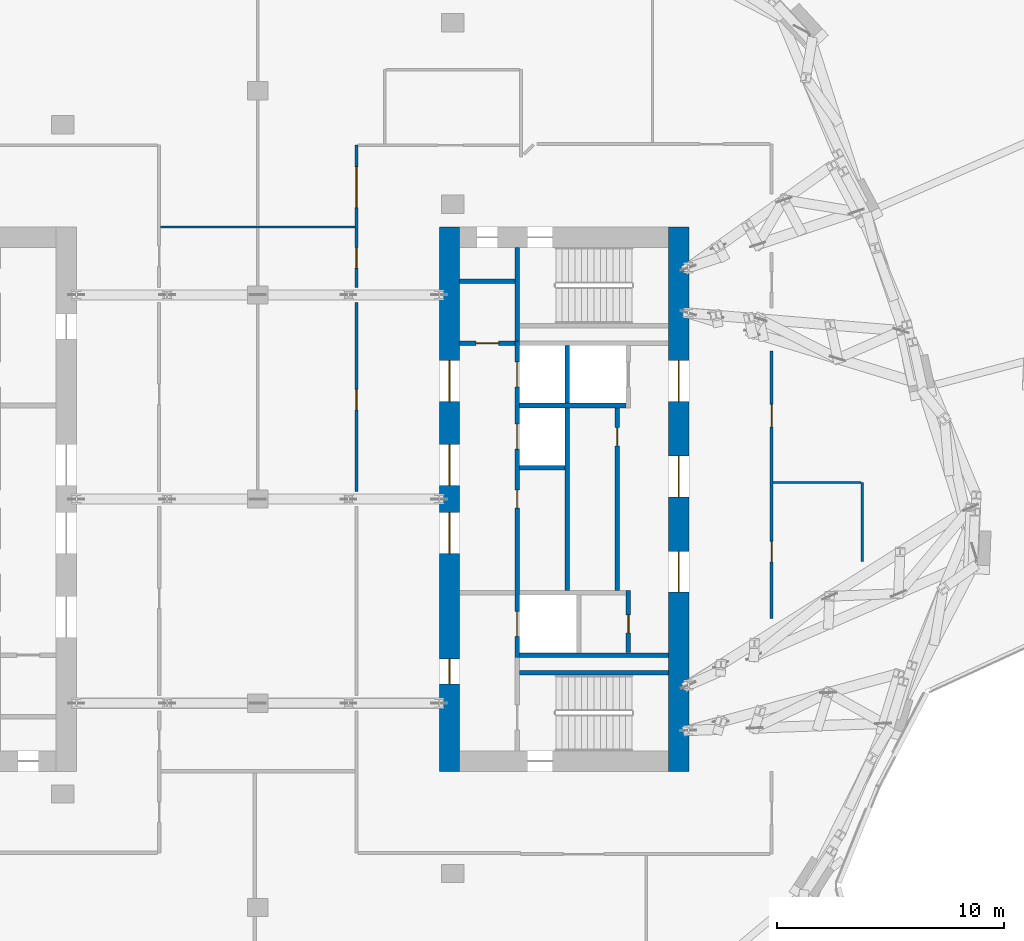
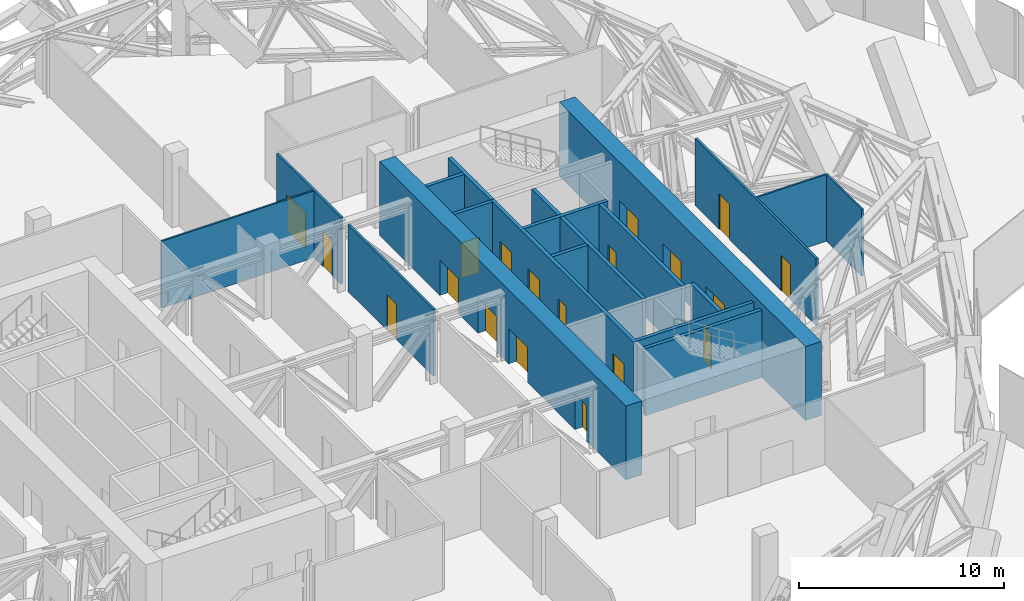
# One storey, part 24 of 31: 20 walls, 19 doors, 19 openings.
"""IFC4 building model written with IfcOpenShell, lengths in metres."""

import ifcopenshell
import ifcopenshell.guid

model = None  # the IFC model being written
_history = None  # IfcOwnerHistory: only IFC2X3 demands one
_inside = {}  # id of a spatial element -> (the spatial element, [elements in it])
_under = {}  # id of a project, library or spatial element -> (it, [spatial elements below it])
_declared = {}  # id of a project -> (the project, [libraries it declares])
_typed = {}  # id of a type object -> (the type object, [elements of that type])
_made_of = {}  # id of a material, layer set ... -> (it, [elements and type objects made of it])


def new_model(schema):
    """Start an empty IFC model of exactly this schema.

    Asked for "IFC4X3", IfcOpenShell would pick the latest addendum, in which some entities
    have other attributes; the version numbers below select the first issue.
    IFC2X3 requires an IfcOwnerHistory on every rooted entity: one is made here for all.
    """
    global model, _history
    if schema == "IFC4X3":
        model = ifcopenshell.file(schema_version=(4, 3, 0, 0))
    else:
        model = ifcopenshell.file(schema=schema)
    _inside.clear()
    _under.clear()
    _declared.clear()
    _typed.clear()
    _made_of.clear()
    _history = None
    if model.schema == "IFC2X3":
        org = make("IfcOrganization", Name="unknown")
        user = make(
            "IfcPersonAndOrganization",
            ThePerson=make("IfcPerson", FamilyName="unknown"),
            TheOrganization=org,
        )
        app = make(
            "IfcApplication",
            ApplicationDeveloper=org,
            Version="unknown",
            ApplicationFullName="unknown",
            ApplicationIdentifier="unknown",
        )
        _history = make(
            "IfcOwnerHistory",
            OwningUser=user,
            OwningApplication=app,
            ChangeAction="ADDED",
            CreationDate=0,
        )
    return model


def make(cls, **values):
    """One entity of the class cls with the attributes given. An attribute that is None is left unset."""
    return model.create_entity(
        cls, **{name: value for name, value in values.items() if value is not None}
    )


def rooted(cls, **values):
    """An entity with a GlobalId (a new one), such as an element, a storey or a relation."""
    return make(cls, GlobalId=ifcopenshell.guid.new(), OwnerHistory=_history, **values)


def si_unit(unit_type, name, prefix=None):
    """IfcSIUnit, for example si_unit("LENGTHUNIT", "METRE", prefix="MILLI")."""
    return make("IfcSIUnit", UnitType=unit_type, Prefix=prefix, Name=name)


def assignment(units):
    """IfcUnitAssignment: the units of a project."""
    return None if units is None else make("IfcUnitAssignment", Units=units)


def point(xyz):
    """IfcCartesianPoint."""
    return None if xyz is None else make("IfcCartesianPoint", Coordinates=xyz)


def direction(xyz):
    """IfcDirection."""
    return None if xyz is None else make("IfcDirection", DirectionRatios=xyz)


def frame(location, z_axis=None, x_axis=None):
    """IfcAxis2Placement3D, a coordinate frame: its origin and axes. An axis left out is left unset."""
    return make(
        "IfcAxis2Placement3D",
        Location=point(location),
        Axis=direction(z_axis),
        RefDirection=direction(x_axis),
    )


def frame_2d(location, x_axis=None):
    """IfcAxis2Placement2D, a coordinate frame in the plane: its origin and x axis."""
    return make(
        "IfcAxis2Placement2D", Location=point(location), RefDirection=direction(x_axis)
    )


def origin():
    """The frame at (0, 0, 0) with its axes left unset."""
    return frame((0.0, 0.0, 0.0))


def place(relative_to, where):
    """IfcLocalPlacement: puts the frame where relative to a parent placement (None: the world)."""
    return make(
        "IfcLocalPlacement", PlacementRelTo=relative_to, RelativePlacement=where
    )


def context(
    kind, dimensions, precision=None, world=None, true_north=None, identifier=None
):
    """IfcGeometricRepresentationContext, for example the 3D "Model" context."""
    return make(
        "IfcGeometricRepresentationContext",
        ContextIdentifier=identifier,
        ContextType=kind,
        CoordinateSpaceDimension=dimensions,
        Precision=precision,
        WorldCoordinateSystem=world,
        TrueNorth=true_north,
    )


def subcontext(parent, identifier, kind, view, scale=None):
    """IfcGeometricRepresentationSubContext, for example "Body" below "Model"."""
    return make(
        "IfcGeometricRepresentationSubContext",
        ContextIdentifier=identifier,
        ContextType=kind,
        ParentContext=parent,
        TargetScale=scale,
        TargetView=view,
    )


def project(units=None, contexts=None):
    """IfcProject with its units and contexts."""
    return rooted(
        "IfcProject",
        Name="project",
        RepresentationContexts=contexts,
        UnitsInContext=assignment(units),
    )


def spatial(cls, under=None, at=None, **own):
    """A site, building, storey or space (cls), placed at a placement, below another one or the project."""
    s = rooted(cls, ObjectPlacement=at, **own)
    if under is not None:
        _under.setdefault(under.id(), (under, []))[1].append(s)
    return s


def profile(cls, at=None, kind="AREA", **sizes):
    """A parametric profile (cls). Its sizes go by their IFC names, for example OverallWidth=200.0."""
    return make(cls, ProfileType=kind, Position=at, **sizes)


def rectangle(**sizes):
    """IfcRectangleProfileDef."""
    return profile("IfcRectangleProfileDef", **sizes)


def extrude(swept, where, along, depth):
    """IfcExtrudedAreaSolid: the profile swept, set in the frame where, extruded along a direction by depth."""
    return make(
        "IfcExtrudedAreaSolid",
        SweptArea=swept,
        Position=where,
        ExtrudedDirection=direction(along),
        Depth=depth,
    )


def shape(context_of_items, identifier, shape_type, items):
    """IfcShapeRepresentation: the items that make up one representation, for example the "Body"."""
    return make(
        "IfcShapeRepresentation",
        ContextOfItems=context_of_items,
        RepresentationIdentifier=identifier,
        RepresentationType=shape_type,
        Items=items,
    )


def material(Name=None, Category=None):
    """IfcMaterial."""
    return make("IfcMaterial", Name=Name, Category=Category)


def layer(
    of_material, thickness, ventilated=None, Name=None, Category=None, Priority=None
):
    """IfcMaterialLayer: one layer of a wall or slab, of a material (None: an air gap)."""
    return make(
        "IfcMaterialLayer",
        Material=of_material,
        LayerThickness=thickness,
        IsVentilated=ventilated,
        Name=Name,
        Category=Category,
        Priority=Priority,
    )


def layer_set(layers, Name=None):
    """IfcMaterialLayerSet."""
    return make("IfcMaterialLayerSet", MaterialLayers=layers, LayerSetName=Name)


def made_of(thing, what):
    """Note that an element or type object is made of a material, layer set ...; save() writes the relation."""
    if what is not None:
        _made_of.setdefault(what.id(), (what, []))[1].append(thing)
    return thing


def type_object(cls, material=None, **own):
    """A type object (cls), such as IfcWallType, which elements share."""
    return made_of(rooted(cls, **own), material)


def element(
    cls,
    number,
    at=None,
    inside=None,
    cuts=None,
    type_object=None,
    material=None,
    context=None,
    identifier="Body",
    shape_type=None,
    held_by="IfcProductDefinitionShape",
    body=None,
    shapes=None,
    **own,
):
    """One element of the class cls, such as IfcWall. Its Tag is "e" and its number.

    at: its placement. inside: the storey or other place that contains it. cuts: it is an
    opening in that element (IfcRelVoidsElement). A single representation is given by context,
    identifier, shape_type and body (its items); several are given by shapes. held_by: the class
    of the entity that holds the representations. save() writes the other relations.
    """
    e = rooted(cls, Tag="e%d" % number, ObjectPlacement=at, **own)
    if body is not None:
        shapes = [shape(context, identifier, shape_type, body)]
    if shapes is not None:
        e.Representation = make(held_by, Representations=shapes)
    if inside is not None:
        _inside.setdefault(inside.id(), (inside, []))[1].append(e)
    if cuts is not None:
        rooted(
            "IfcRelVoidsElement", RelatingBuildingElement=cuts, RelatedOpeningElement=e
        )
    if type_object is not None:
        _typed.setdefault(type_object.id(), (type_object, []))[1].append(e)
    return made_of(e, material)


def fill(opening, filler):
    """IfcRelFillsElement: the door or window that sits in an opening."""
    return rooted(
        "IfcRelFillsElement",
        RelatingOpeningElement=opening,
        RelatedBuildingElement=filler,
    )


def aggregate(whole, parts):
    """IfcRelAggregates: a whole, such as a stair, and the parts it consists of."""
    return rooted("IfcRelAggregates", RelatingObject=whole, RelatedObjects=parts)


def save(model, path):
    """Write the relations noted so far, then the file.

    IfcRelAggregates (storeys below a building ...), IfcRelContainedInSpatialStructure (elements
    in a storey), IfcRelDefinesByType, IfcRelAssociatesMaterial and IfcRelDeclares: one each for
    every whole, place, type object, material and project.
    """
    for whole, parts in _under.values():
        aggregate(whole, parts)
    for where, things in _inside.values():
        rooted(
            "IfcRelContainedInSpatialStructure",
            RelatedElements=things,
            RelatingStructure=where,
        )
    for kind, things in _typed.values():
        rooted("IfcRelDefinesByType", RelatedObjects=things, RelatingType=kind)
    for what, things in _made_of.values():
        rooted("IfcRelAssociatesMaterial", RelatedObjects=things, RelatingMaterial=what)
    for by, libraries in _declared.values():
        rooted("IfcRelDeclares", RelatingContext=by, RelatedDefinitions=libraries)
    model.write(path)


model = new_model("IFC4")

# Units and contexts
model_context = context("Model", 3, precision=1e-05, world=origin(), true_north=direction((0.0, 1.0)))
body_context = subcontext(model_context, "Body", "Model", "MODEL_VIEW")
ifc_project = project(units=[si_unit("LENGTHUNIT", "METRE"), si_unit("AREAUNIT", "SQUARE_METRE"), si_unit("VOLUMEUNIT", "CUBIC_METRE"), si_unit("PLANEANGLEUNIT", "RADIAN"), si_unit("MASSUNIT", "GRAM", prefix="KILO")], contexts=[model_context])

# Site, building, storey
site_placement = place(None, origin())
site = spatial("IfcSite", under=ifc_project, at=site_placement, CompositionType="ELEMENT")
building_placement = place(site_placement, origin())
building = spatial("IfcBuilding", under=site, at=building_placement, Name="Orlundy Tower", CompositionType="ELEMENT")
storey_placement = place(building_placement, frame((0.0, 0.0, 271.0)))
storey = spatial("IfcBuildingStorey", under=building, at=storey_placement, Name="L72", CompositionType="ELEMENT", Elevation=271.0)

# Wall, openings, doors
ifc_material_1 = material(Name="Concrete C60/75", Category="concrete")
ifc_layer_1 = layer(ifc_material_1, 0.89990234375)
ifc_layer_set_1 = layer_set([ifc_layer_1], Name="CORE WALL 900 C60/75")
wall_type_1 = type_object("IfcWallType", Name="CORE WALL 900 C60/75", PredefinedType="SHEAR", material=ifc_layer_set_1)
wall_1_placement = place(storey_placement, frame((8.449951171875, -12.0, 0.0), z_axis=(0.0, 0.0, 1.0), x_axis=(0.0, 1.0, 0.0)))
wall_1 = element("IfcWall", 1, at=wall_1_placement, inside=storey, type_object=wall_type_1, Name="Core wall E-W L72", PredefinedType="SHEAR", context=body_context, shape_type="SweptSolid", body=[
    extrude(rectangle(XDim=24.0, YDim=0.89990234375, at=frame_2d((12.0, 0.0))), origin(), (0.0, 0.0, 1.0), 4.39990234375),
])
opening_1_placement = place(wall_1_placement, frame((12.60009765625, 0.0, 0.0)))
opening_1 = element("IfcOpeningElement", 2, at=opening_1_placement, cuts=wall_1, Name="Opening 54057", PredefinedType="OPENING", context=body_context, shape_type="SweptSolid", body=[
    extrude(rectangle(XDim=1.800048828125, YDim=2.10009765625, at=frame_2d((0.89990234375, 1.050048828125))), frame((0.0, 0.4599609375, 0.0), z_axis=(0.0, -1.0, 0.0), x_axis=(1.0, 0.0, 0.0)), (0.0, 0.0, 1.0), 0.919921875),
])
opening_2_placement = place(wall_1_placement, frame((16.300048828125, 0.0, 0.0)))
opening_2 = element("IfcOpeningElement", 3, at=opening_2_placement, cuts=wall_1, Name="Opening 54061", PredefinedType="OPENING", context=body_context, shape_type="SweptSolid", body=[
    extrude(rectangle(XDim=1.800048828125, YDim=2.10009765625, at=frame_2d((0.89990234375, 1.050048828125))), frame((0.0, 0.4599609375, 0.0), z_axis=(0.0, -1.0, 0.0), x_axis=(1.0, 0.0, 0.0)), (0.0, 0.0, 1.0), 0.919921875),
])
opening_3_placement = place(wall_1_placement, frame((9.60009765625, 0.0, 0.0)))
opening_3 = element("IfcOpeningElement", 4, at=opening_3_placement, cuts=wall_1, Name="Opening 54062", PredefinedType="OPENING", context=body_context, shape_type="SweptSolid", body=[
    extrude(rectangle(XDim=1.800048828125, YDim=2.10009765625, at=frame_2d((0.89990234375, 1.050048828125))), frame((0.0, 0.4599609375, 0.0), z_axis=(0.0, -1.0, 0.0), x_axis=(1.0, 0.0, 0.0)), (0.0, 0.0, 1.0), 0.919921875),
])
opening_4_placement = place(wall_1_placement, frame((3.85009765625, 0.0, 0.0)))
opening_4 = element("IfcOpeningElement", 5, at=opening_4_placement, cuts=wall_1, Name="Opening 54063", PredefinedType="OPENING", context=body_context, shape_type="SweptSolid", body=[
    extrude(rectangle(XDim=1.10009765625, YDim=2.10009765625, at=frame_2d((0.550048828125, 1.050048828125))), frame((0.0, 0.4599609375, 0.0), z_axis=(0.0, -1.0, 0.0), x_axis=(1.0, 0.0, 0.0)), (0.0, 0.0, 1.0), 0.919921875),
])
ifc_material_2 = material(Name="Steel door set", Category="steel")
door_type_1 = type_object("IfcDoorType", Name="Fire-fighting Lobby Door 1100x2100", OperationType="SINGLE_SWING_LEFT", PredefinedType="DOOR", material=ifc_material_2)
door_1_placement = place(opening_4_placement, origin())
door_1 = element("IfcDoor", 6, at=door_1_placement, inside=storey, type_object=door_type_1, Name="Fire-fighting lobby door 54063", OperationType="SINGLE_SWING_LEFT", OverallHeight=2.10009765625, OverallWidth=1.10009765625, PredefinedType="DOOR", context=body_context, shape_type="SweptSolid", body=[
    extrude(rectangle(XDim=1.10009765625, YDim=2.10009765625, at=frame_2d((0.550048828125, 1.050048828125))), frame((0.0, 0.02490234375, 0.0), z_axis=(0.0, -1.0, 0.0), x_axis=(1.0, 0.0, 0.0)), (0.0, 0.0, 1.0), 0.050048828125),
])
fill(opening_4, door_1)
ifc_material_3 = material(Name="Timber door set", Category="wood")
door_type_2 = type_object("IfcDoorType", Name="Lobby Door 1800x2100", OperationType="DOUBLE_DOOR_DOUBLE_SWING", PredefinedType="DOOR", material=ifc_material_3)
door_2_placement = place(opening_1_placement, origin())
door_2 = element("IfcDoor", 7, at=door_2_placement, inside=storey, type_object=door_type_2, Name="Lift lobby door 54057", OperationType="SINGLE_SWING_RIGHT", OverallHeight=2.10009765625, OverallWidth=1.800048828125, PredefinedType="DOOR", context=body_context, shape_type="SweptSolid", body=[
    extrude(rectangle(XDim=1.800048828125, YDim=2.10009765625, at=frame_2d((0.89990234375, 1.050048828125))), frame((0.0, 0.02490234375, 0.0), z_axis=(0.0, -1.0, 0.0), x_axis=(1.0, 0.0, 0.0)), (0.0, 0.0, 1.0), 0.050048828125),
])
fill(opening_1, door_2)
door_3_placement = place(opening_2_placement, origin())
door_3 = element("IfcDoor", 8, at=door_3_placement, inside=storey, type_object=door_type_2, Name="Lift lobby door 54061", OperationType="SINGLE_SWING_RIGHT", OverallHeight=2.10009765625, OverallWidth=1.800048828125, PredefinedType="DOOR", context=body_context, shape_type="SweptSolid", body=[
    extrude(rectangle(XDim=1.800048828125, YDim=2.10009765625, at=frame_2d((0.89990234375, 1.050048828125))), frame((0.0, 0.02490234375, 0.0), z_axis=(0.0, -1.0, 0.0), x_axis=(1.0, 0.0, 0.0)), (0.0, 0.0, 1.0), 0.050048828125),
])
fill(opening_2, door_3)
door_4_placement = place(opening_3_placement, origin())
door_4 = element("IfcDoor", 9, at=door_4_placement, inside=storey, type_object=door_type_2, Name="Lift lobby door 54062", OperationType="SINGLE_SWING_LEFT", OverallHeight=2.10009765625, OverallWidth=1.800048828125, PredefinedType="DOOR", context=body_context, shape_type="SweptSolid", body=[
    extrude(rectangle(XDim=1.800048828125, YDim=2.10009765625, at=frame_2d((0.89990234375, 1.050048828125))), frame((0.0, 0.02490234375, 0.0), z_axis=(0.0, -1.0, 0.0), x_axis=(1.0, 0.0, 0.0)), (0.0, 0.0, 1.0), 0.050048828125),
])
fill(opening_3, door_4)

wall_2_placement = place(storey_placement, frame((18.550048828125, -12.0, 0.0), z_axis=(0.0, 0.0, 1.0), x_axis=(0.0, 1.0, 0.0)))
wall_2 = element("IfcWall", 10, at=wall_2_placement, inside=storey, type_object=wall_type_1, Name="Core wall E-E L72", PredefinedType="SHEAR", context=body_context, shape_type="SweptSolid", body=[
    extrude(rectangle(XDim=24.0, YDim=0.89990234375, at=frame_2d((12.0, 0.0))), origin(), (0.0, 0.0, 1.0), 4.39990234375),
])
opening_5_placement = place(wall_2_placement, frame((16.300048828125, 0.0, 0.0)))
opening_5 = element("IfcOpeningElement", 11, at=opening_5_placement, cuts=wall_2, Name="Opening 54058", PredefinedType="OPENING", context=body_context, shape_type="SweptSolid", body=[
    extrude(rectangle(XDim=1.800048828125, YDim=2.10009765625, at=frame_2d((0.89990234375, 1.050048828125))), frame((0.0, 0.4599609375, 0.0), z_axis=(0.0, -1.0, 0.0), x_axis=(1.0, 0.0, 0.0)), (0.0, 0.0, 1.0), 0.919921875),
])
opening_6_placement = place(wall_2_placement, frame((12.10009765625, 0.0, 0.0)))
opening_6 = element("IfcOpeningElement", 12, at=opening_6_placement, cuts=wall_2, Name="Opening 54059", PredefinedType="OPENING", context=body_context, shape_type="SweptSolid", body=[
    extrude(rectangle(XDim=1.800048828125, YDim=2.10009765625, at=frame_2d((0.89990234375, 1.050048828125))), frame((0.0, 0.4599609375, 0.0), z_axis=(0.0, -1.0, 0.0), x_axis=(1.0, 0.0, 0.0)), (0.0, 0.0, 1.0), 0.919921875),
])
opening_7_placement = place(wall_2_placement, frame((7.89990234375, 0.0, 0.0)))
opening_7 = element("IfcOpeningElement", 13, at=opening_7_placement, cuts=wall_2, Name="Opening 54060", PredefinedType="OPENING", context=body_context, shape_type="SweptSolid", body=[
    extrude(rectangle(XDim=1.800048828125, YDim=2.10009765625, at=frame_2d((0.89990234375, 1.050048828125))), frame((0.0, 0.4599609375, 0.0), z_axis=(0.0, -1.0, 0.0), x_axis=(1.0, 0.0, 0.0)), (0.0, 0.0, 1.0), 0.919921875),
])
door_5_placement = place(opening_5_placement, origin())
door_5 = element("IfcDoor", 14, at=door_5_placement, inside=storey, type_object=door_type_2, Name="Lift lobby door 54058", OperationType="SINGLE_SWING_RIGHT", OverallHeight=2.10009765625, OverallWidth=1.800048828125, PredefinedType="DOOR", context=body_context, shape_type="SweptSolid", body=[
    extrude(rectangle(XDim=1.800048828125, YDim=2.10009765625, at=frame_2d((0.89990234375, 1.050048828125))), frame((0.0, 0.02490234375, 0.0), z_axis=(0.0, -1.0, 0.0), x_axis=(1.0, 0.0, 0.0)), (0.0, 0.0, 1.0), 0.050048828125),
])
fill(opening_5, door_5)
door_6_placement = place(opening_6_placement, origin())
door_6 = element("IfcDoor", 15, at=door_6_placement, inside=storey, type_object=door_type_2, Name="Lift lobby door 54059", OperationType="SINGLE_SWING_RIGHT", OverallHeight=2.10009765625, OverallWidth=1.800048828125, PredefinedType="DOOR", context=body_context, shape_type="SweptSolid", body=[
    extrude(rectangle(XDim=1.800048828125, YDim=2.10009765625, at=frame_2d((0.89990234375, 1.050048828125))), frame((0.0, 0.02490234375, 0.0), z_axis=(0.0, -1.0, 0.0), x_axis=(1.0, 0.0, 0.0)), (0.0, 0.0, 1.0), 0.050048828125),
])
fill(opening_6, door_6)
door_7_placement = place(opening_7_placement, origin())
door_7 = element("IfcDoor", 16, at=door_7_placement, inside=storey, type_object=door_type_2, Name="Lift lobby door 54060", OperationType="SINGLE_SWING_LEFT", OverallHeight=2.10009765625, OverallWidth=1.800048828125, PredefinedType="DOOR", context=body_context, shape_type="SweptSolid", body=[
    extrude(rectangle(XDim=1.800048828125, YDim=2.10009765625, at=frame_2d((0.89990234375, 1.050048828125))), frame((0.0, 0.02490234375, 0.0), z_axis=(0.0, -1.0, 0.0), x_axis=(1.0, 0.0, 0.0)), (0.0, 0.0, 1.0), 0.050048828125),
])
fill(opening_7, door_7)

# Walls
ifc_material_4 = material(Name="Gypsum board partition")
ifc_layer_2 = layer(ifc_material_4, 0.10009765625)
ifc_layer_set_2 = layer_set([ifc_layer_2], Name="Floor partition 100")
wall_type_2 = type_object("IfcWallType", Name="Floor partition 100", PredefinedType="PARTITIONING", material=ifc_layer_set_2)
wall_3_placement = place(storey_placement, frame((22.712890625, 0.73095703125, 0.0), z_axis=(0.0, 0.0, 1.0), x_axis=(1.0, 0.0, 0.0)))
element("IfcWall", 17, at=wall_3_placement, inside=storey, type_object=wall_type_2, Name="wall-int-L72-007", PredefinedType="PARTITIONING", context=body_context, shape_type="SweptSolid", body=[
    extrude(rectangle(XDim=3.88623046875, YDim=0.10009765625, at=frame_2d((1.943115234375, 0.0))), origin(), (0.0, 0.0, 1.0), 3.97998046875),
])
wall_4_placement = place(storey_placement, frame((-4.287109375, 12.0, 0.0), z_axis=(0.0, 0.0, 1.0), x_axis=(1.0, 0.0, 0.0)))
element("IfcWall", 18, at=wall_4_placement, inside=storey, type_object=wall_type_2, Name="wall-int-L72-008", PredefinedType="PARTITIONING", context=body_context, shape_type="SweptSolid", body=[
    extrude(rectangle(XDim=8.57421875, YDim=0.10009765625, at=frame_2d((4.287109375, 0.0))), origin(), (0.0, 0.0, 1.0), 3.97998046875),
])
wall_5_placement = place(storey_placement, frame((26.64990234375, -2.756103515625, 0.0), z_axis=(0.0, 0.0, 1.0), x_axis=(0.0, 1.0, 0.0)))
element("IfcWall", 19, at=wall_5_placement, inside=storey, type_object=wall_type_2, Name="wall-int-L72-016", PredefinedType="PARTITIONING", context=body_context, shape_type="SweptSolid", body=[
    extrude(rectangle(XDim=3.486083984375, YDim=0.10009765625, at=frame_2d((1.7431640625, 0.0))), origin(), (0.0, 0.0, 1.0), 3.97998046875),
])

# Wall, openings, doors
ifc_material_5 = material(Name="Gypsum board partition, double layer")
ifc_layer_3 = layer(ifc_material_5, 0.125)
ifc_layer_set_3 = layer_set([ifc_layer_3], Name="Floor partition 125")
wall_type_3 = type_object("IfcWallType", Name="Floor partition 125", PredefinedType="PARTITIONING", material=ifc_layer_set_3)
wall_6_placement = place(storey_placement, frame((22.65087890625, 6.528076171875, 0.0), z_axis=(0.0, 0.0, 1.0), x_axis=(0.0, -1.0, 0.0)))
wall_6 = element("IfcWall", 20, at=wall_6_placement, inside=storey, type_object=wall_type_3, Name="wall-int-L72-018", PredefinedType="PARTITIONING", context=body_context, shape_type="SweptSolid", body=[
    extrude(rectangle(XDim=11.798095703125, YDim=0.125, at=frame_2d((5.89892578125, 0.0))), origin(), (0.0, 0.0, 1.0), 3.97998046875),
])
opening_8_placement = place(wall_6_placement, frame((2.35009765625, 0.0, 0.0)))
opening_8 = element("IfcOpeningElement", 21, at=opening_8_placement, cuts=wall_6, Name="Opening 54108", PredefinedType="OPENING", context=body_context, shape_type="SweptSolid", body=[
    extrude(rectangle(XDim=1.0, YDim=2.10009765625, at=frame_2d((0.5, 1.050048828125))), frame((0.0, 0.072509765625, 0.0), z_axis=(0.0, -1.0, 0.0), x_axis=(1.0, 0.0, 0.0)), (0.0, 0.0, 1.0), 0.14501953125),
])
opening_9_placement = place(wall_6_placement, frame((8.39794921875, 0.0, 0.0)))
opening_9 = element("IfcOpeningElement", 22, at=opening_9_placement, cuts=wall_6, Name="Opening 54118", PredefinedType="OPENING", context=body_context, shape_type="SweptSolid", body=[
    extrude(rectangle(XDim=0.89990234375, YDim=2.10009765625, at=frame_2d((0.449951171875, 1.050048828125))), frame((0.0, 0.072509765625, 0.0), z_axis=(0.0, -1.0, 0.0), x_axis=(1.0, 0.0, 0.0)), (0.0, 0.0, 1.0), 0.14501953125),
])
ifc_material_6 = material(Name="Timber door leaf", Category="wood")
door_type_3 = type_object("IfcDoorType", Name="Floor door single 900 FD30S", OperationType="NOTDEFINED", PredefinedType="DOOR", material=ifc_material_6)
door_8_placement = place(opening_9_placement, origin())
door_8 = element("IfcDoor", 23, at=door_8_placement, inside=storey, type_object=door_type_3, Name="Door 54118", OperationType="SINGLE_SWING_RIGHT", OverallHeight=2.10009765625, OverallWidth=0.89990234375, PredefinedType="DOOR", context=body_context, shape_type="SweptSolid", body=[
    extrude(rectangle(XDim=0.89990234375, YDim=2.10009765625, at=frame_2d((0.449951171875, 1.050048828125))), frame((0.0, 0.02490234375, 0.0), z_axis=(0.0, -1.0, 0.0), x_axis=(1.0, 0.0, 0.0)), (0.0, 0.0, 1.0), 0.050048828125),
])
fill(opening_9, door_8)
ifc_material_7 = material(Name="Timber door leaf", Category="wood")
door_type_4 = type_object("IfcDoorType", Name="Floor door wide 1000 FD30S", OperationType="NOTDEFINED", PredefinedType="DOOR", material=ifc_material_7)
door_9_placement = place(opening_8_placement, origin())
door_9 = element("IfcDoor", 24, at=door_9_placement, inside=storey, type_object=door_type_4, Name="Door 54108", OperationType="SINGLE_SWING_LEFT", OverallHeight=2.10009765625, OverallWidth=1.0, PredefinedType="DOOR", context=body_context, shape_type="SweptSolid", body=[
    extrude(rectangle(XDim=1.0, YDim=2.10009765625, at=frame_2d((0.5, 1.050048828125))), frame((0.0, 0.02490234375, 0.0), z_axis=(0.0, -1.0, 0.0), x_axis=(1.0, 0.0, 0.0)), (0.0, 0.0, 1.0), 0.050048828125),
])
fill(opening_8, door_9)

# Wall, opening, door
wall_7_placement = place(storey_placement, frame((4.35009765625, 0.3349609375, 0.0), z_axis=(0.0, 0.0, 1.0), x_axis=(0.0, 1.0, 0.0)))
wall_7 = element("IfcWall", 25, at=wall_7_placement, inside=storey, type_object=wall_type_3, Name="wall-int-L72-027", PredefinedType="PARTITIONING", context=body_context, shape_type="SweptSolid", body=[
    extrude(rectangle(XDim=8.330078125, YDim=0.125, at=frame_2d((4.1650390625, 0.0))), origin(), (0.0, 0.0, 1.0), 3.97998046875),
])
opening_10_placement = place(wall_7_placement, frame((3.60009765625, 0.0, 0.0)))
opening_10 = element("IfcOpeningElement", 26, at=opening_10_placement, cuts=wall_7, Name="Opening 54111", PredefinedType="OPENING", context=body_context, shape_type="SweptSolid", body=[
    extrude(rectangle(XDim=0.89990234375, YDim=2.10009765625, at=frame_2d((0.449951171875, 1.050048828125))), frame((0.0, 0.072509765625, 0.0), z_axis=(0.0, -1.0, 0.0), x_axis=(1.0, 0.0, 0.0)), (0.0, 0.0, 1.0), 0.14501953125),
])
door_10_placement = place(opening_10_placement, origin())
door_10 = element("IfcDoor", 27, at=door_10_placement, inside=storey, type_object=door_type_3, Name="Door 54111", OperationType="SINGLE_SWING_LEFT", OverallHeight=2.10009765625, OverallWidth=0.89990234375, PredefinedType="DOOR", context=body_context, shape_type="SweptSolid", body=[
    extrude(rectangle(XDim=0.89990234375, YDim=2.10009765625, at=frame_2d((0.449951171875, 1.050048828125))), frame((0.0, 0.02490234375, 0.0), z_axis=(0.0, -1.0, 0.0), x_axis=(1.0, 0.0, 0.0)), (0.0, 0.0, 1.0), 0.050048828125),
])
fill(opening_10, door_10)

# Wall, openings, doors
wall_8_placement = place(storey_placement, frame((4.35009765625, 9.3349609375, 0.0), z_axis=(0.0, 0.0, 1.0), x_axis=(0.0, 1.0, 0.0)))
wall_8 = element("IfcWall", 28, at=wall_8_placement, inside=storey, type_object=wall_type_3, Name="wall-int-L72-028", PredefinedType="PARTITIONING", context=body_context, shape_type="SweptSolid", body=[
    extrude(rectangle(XDim=6.26611328125, YDim=0.125, at=frame_2d((3.133056640625, 0.0))), origin(), (0.0, 0.0, 1.0), 3.97998046875),
])
opening_11_placement = place(wall_8_placement, frame((3.514892578125, 0.0, 0.0)))
opening_11 = element("IfcOpeningElement", 29, at=opening_11_placement, cuts=wall_8, Name="Opening 54112", PredefinedType="OPENING", context=body_context, shape_type="SweptSolid", body=[
    extrude(rectangle(XDim=1.800048828125, YDim=2.10009765625, at=frame_2d((0.89990234375, 1.050048828125))), frame((0.0, 0.072509765625, 0.0), z_axis=(0.0, -1.0, 0.0), x_axis=(1.0, 0.0, 0.0)), (0.0, 0.0, 1.0), 0.14501953125),
])
opening_12_placement = place(wall_8_placement, frame((0.85009765625, 0.0, 0.0)))
opening_12 = element("IfcOpeningElement", 30, at=opening_12_placement, cuts=wall_8, Name="Opening 54113", PredefinedType="OPENING", context=body_context, shape_type="SweptSolid", body=[
    extrude(rectangle(XDim=0.89990234375, YDim=2.10009765625, at=frame_2d((0.449951171875, 1.050048828125))), frame((0.0, 0.072509765625, 0.0), z_axis=(0.0, -1.0, 0.0), x_axis=(1.0, 0.0, 0.0)), (0.0, 0.0, 1.0), 0.14501953125),
])
ifc_material_8 = material(Name="Timber door leaf", Category="wood")
door_type_5 = type_object("IfcDoorType", Name="Floor door double 1800 FD30S", OperationType="NOTDEFINED", PredefinedType="DOOR", material=ifc_material_8)
door_11_placement = place(opening_11_placement, origin())
door_11 = element("IfcDoor", 31, at=door_11_placement, inside=storey, type_object=door_type_5, Name="Door 54112", OperationType="DOUBLE_DOOR_SINGLE_SWING", OverallHeight=2.10009765625, OverallWidth=1.800048828125, PredefinedType="DOOR", context=body_context, shape_type="SweptSolid", body=[
    extrude(rectangle(XDim=1.800048828125, YDim=2.10009765625, at=frame_2d((0.89990234375, 1.050048828125))), frame((0.0, 0.02490234375, 0.0), z_axis=(0.0, -1.0, 0.0), x_axis=(1.0, 0.0, 0.0)), (0.0, 0.0, 1.0), 0.050048828125),
])
fill(opening_11, door_11)
door_12_placement = place(opening_12_placement, origin())
door_12 = element("IfcDoor", 32, at=door_12_placement, inside=storey, type_object=door_type_3, Name="Door 54113", OperationType="SINGLE_SWING_LEFT", OverallHeight=2.10009765625, OverallWidth=0.89990234375, PredefinedType="DOOR", context=body_context, shape_type="SweptSolid", body=[
    extrude(rectangle(XDim=0.89990234375, YDim=2.10009765625, at=frame_2d((0.449951171875, 1.050048828125))), frame((0.0, 0.02490234375, 0.0), z_axis=(0.0, -1.0, 0.0), x_axis=(1.0, 0.0, 0.0)), (0.0, 0.0, 1.0), 0.050048828125),
])
fill(opening_12, door_12)

# Walls
ifc_material_9 = material(Name="Concrete C40/50", Category="concrete")
ifc_layer_4 = layer(ifc_material_9, 0.199951171875)
ifc_layer_set_4 = layer_set([ifc_layer_4], Name="Load-bearing Shaft Wall 200")
wall_type_4 = type_object("IfcWallType", Name="Load-bearing Shaft Wall 200", PredefinedType="SOLIDWALL", material=ifc_layer_set_4)
wall_9_placement = place(storey_placement, frame((11.5400390625, -7.64990234375, 0.0), z_axis=(0.0, 0.0, 1.0), x_axis=(1.0, 0.0, 0.0)))
element("IfcWall", 33, at=wall_9_placement, inside=storey, type_object=wall_type_4, Name="Shaft wall E54-stair-side-n", PredefinedType="SOLIDWALL", context=body_context, shape_type="SweptSolid", body=[
    extrude(rectangle(XDim=6.56005859375, YDim=0.199951171875, at=frame_2d((3.280029296875, 0.0))), origin(), (0.0, 0.0, 1.0), 3.989990234375),
])
wall_10_placement = place(storey_placement, frame((11.43994140625, 11.10009765625, 0.0), z_axis=(0.0, 0.0, 1.0), x_axis=(0.0, -1.0, 0.0)))
element("IfcWall", 34, at=wall_10_placement, inside=storey, type_object=wall_type_4, Name="Shaft wall E54-stair-end-s", PredefinedType="SOLIDWALL", context=body_context, shape_type="SweptSolid", body=[
    extrude(rectangle(XDim=4.125, YDim=0.199951171875, at=frame_2d((2.0625, 0.0))), origin(), (0.0, 0.0, 1.0), 3.989990234375),
])

# Wall, opening, door
ifc_material_10 = material(Name="Gypsum board partition on steel studs", Category="steel")
ifc_layer_5 = layer(ifc_material_10, 0.199951171875)
ifc_layer_set_5 = layer_set([ifc_layer_5], Name="Partition 200")
wall_type_5 = type_object("IfcWallType", Name="Partition 200", PredefinedType="PARTITIONING", material=ifc_layer_set_5)
wall_11_placement = place(storey_placement, frame((8.89990234375, 6.875, 0.0), z_axis=(0.0, 0.0, 1.0), x_axis=(1.0, 0.0, 0.0)))
wall_11 = element("IfcWall", 35, at=wall_11_placement, inside=storey, type_object=wall_type_5, Name="Partition wall E54-end-s", PredefinedType="PARTITIONING", context=body_context, shape_type="SweptSolid", body=[
    extrude(rectangle(XDim=2.440185546875, YDim=0.199951171875, at=frame_2d((1.22021484375, 0.0))), origin(), (0.0, 0.0, 1.0), 3.989990234375),
])
opening_13_placement = place(wall_11_placement, frame((0.719970703125, 0.0, 0.0)))
opening_13 = element("IfcOpeningElement", 36, at=opening_13_placement, cuts=wall_11, Name="Opening 54068", PredefinedType="OPENING", context=body_context, shape_type="SweptSolid", body=[
    extrude(rectangle(XDim=1.0, YDim=2.10009765625, at=frame_2d((0.5, 1.050048828125))), frame((0.0, 0.110107421875, 0.0), z_axis=(0.0, -1.0, 0.0), x_axis=(1.0, 0.0, 0.0)), (0.0, 0.0, 1.0), 0.22021484375),
])
ifc_material_11 = material(Name="Timber door set", Category="wood")
door_type_6 = type_object("IfcDoorType", Name="Accessible Door 1000x2100", OperationType="SINGLE_SWING_LEFT", PredefinedType="DOOR", material=ifc_material_11)
door_13_placement = place(opening_13_placement, origin())
door_13 = element("IfcDoor", 37, at=door_13_placement, inside=storey, type_object=door_type_6, Name="Accessible WC door 54068", OperationType="SINGLE_SWING_RIGHT", OverallHeight=2.10009765625, OverallWidth=1.0, PredefinedType="DOOR", context=body_context, shape_type="SweptSolid", body=[
    extrude(rectangle(XDim=1.0, YDim=2.10009765625, at=frame_2d((0.5, 1.050048828125))), frame((0.0, 0.02490234375, 0.0), z_axis=(0.0, -1.0, 0.0), x_axis=(1.0, 0.0, 0.0)), (0.0, 0.0, 1.0), 0.050048828125),
])
fill(opening_13, door_13)

# Walls
wall_12_placement = place(storey_placement, frame((8.89990234375, 9.60009765625, 0.0), z_axis=(0.0, 0.0, 1.0), x_axis=(1.0, 0.0, 0.0)))
element("IfcWall", 38, at=wall_12_placement, inside=storey, type_object=wall_type_5, Name="Partition wall E54-room-s0", PredefinedType="PARTITIONING", context=body_context, shape_type="SweptSolid", body=[
    extrude(rectangle(XDim=2.440185546875, YDim=0.199951171875, at=frame_2d((1.22021484375, 0.0))), origin(), (0.0, 0.0, 1.0), 3.989990234375),
])
ifc_material_12 = material(Name="Fire-rated blockwork shaft wall", Category="masonry")
ifc_layer_6 = layer(ifc_material_12, 0.199951171875)
ifc_layer_set_6 = layer_set([ifc_layer_6], Name="Shaft Wall 200")
wall_type_6 = type_object("IfcWallType", Name="Shaft Wall 200", PredefinedType="SOLIDWALL", material=ifc_layer_set_6)
wall_13_placement = place(storey_placement, frame((11.5400390625, -6.875, 0.0), z_axis=(0.0, 0.0, 1.0), x_axis=(1.0, 0.0, 0.0)))
element("IfcWall", 39, at=wall_13_placement, inside=storey, type_object=wall_type_6, Name="Shaft wall E54-zone-n", PredefinedType="SOLIDWALL", context=body_context, shape_type="SweptSolid", body=[
    extrude(rectangle(XDim=6.56005859375, YDim=0.199951171875, at=frame_2d((3.280029296875, 0.0))), origin(), (0.0, 0.0, 1.0), 3.989990234375),
])
wall_14_placement = place(storey_placement, frame((11.5400390625, 4.125, 0.0), z_axis=(0.0, 0.0, 1.0), x_axis=(1.0, 0.0, 0.0)))
element("IfcWall", 40, at=wall_14_placement, inside=storey, type_object=wall_type_6, Name="Shaft wall E54-cross-4.125", PredefinedType="SOLIDWALL", context=body_context, shape_type="SweptSolid", body=[
    extrude(rectangle(XDim=4.699951171875, YDim=0.199951171875, at=frame_2d((2.35009765625, 0.0))), origin(), (0.0, 0.0, 1.0), 3.989990234375),
])
wall_15_placement = place(storey_placement, frame((11.5400390625, 1.375, 0.0), z_axis=(0.0, 0.0, 1.0), x_axis=(1.0, 0.0, 0.0)))
element("IfcWall", 41, at=wall_15_placement, inside=storey, type_object=wall_type_6, Name="Shaft wall E54-cross-1.375", PredefinedType="SOLIDWALL", context=body_context, shape_type="SweptSolid", body=[
    extrude(rectangle(XDim=2.0, YDim=0.199951171875, at=frame_2d((1.0, 0.0))), origin(), (0.0, 0.0, 1.0), 3.989990234375),
])

# Wall, openings, doors
wall_16_placement = place(storey_placement, frame((11.43994140625, 6.97509765625, 0.0), z_axis=(0.0, 0.0, 1.0), x_axis=(0.0, -1.0, 0.0)))
wall_16 = element("IfcWall", 42, at=wall_16_placement, inside=storey, type_object=wall_type_6, Name="Shaft wall E54-front-h", PredefinedType="SOLIDWALL", context=body_context, shape_type="SweptSolid", body=[
    extrude(rectangle(XDim=13.9501953125, YDim=0.199951171875, at=frame_2d((6.97509765625, 0.0))), origin(), (0.0, 0.0, 1.0), 3.989990234375),
])
opening_14_placement = place(wall_16_placement, frame((0.925048828125, 0.0, 0.0)))
opening_14 = element("IfcOpeningElement", 43, at=opening_14_placement, cuts=wall_16, Name="Opening 54050", PredefinedType="OPENING", context=body_context, shape_type="SweptSolid", body=[
    extrude(rectangle(XDim=1.10009765625, YDim=2.10009765625, at=frame_2d((0.550048828125, 1.050048828125))), frame((0.0, 0.110107421875, 0.0), z_axis=(0.0, -1.0, 0.0), x_axis=(1.0, 0.0, 0.0)), (0.0, 0.0, 1.0), 0.22021484375),
])
opening_15_placement = place(wall_16_placement, frame((3.675048828125, 0.0, 0.0)))
opening_15 = element("IfcOpeningElement", 44, at=opening_15_placement, cuts=wall_16, Name="Opening 54052", PredefinedType="OPENING", context=body_context, shape_type="SweptSolid", body=[
    extrude(rectangle(XDim=1.10009765625, YDim=2.10009765625, at=frame_2d((0.550048828125, 1.050048828125))), frame((0.0, 0.110107421875, 0.0), z_axis=(0.0, -1.0, 0.0), x_axis=(1.0, 0.0, 0.0)), (0.0, 0.0, 1.0), 0.22021484375),
])
opening_16_placement = place(wall_16_placement, frame((11.925048828125, 0.0, 0.0)))
opening_16 = element("IfcOpeningElement", 45, at=opening_16_placement, cuts=wall_16, Name="Opening 54053", PredefinedType="OPENING", context=body_context, shape_type="SweptSolid", body=[
    extrude(rectangle(XDim=1.10009765625, YDim=2.10009765625, at=frame_2d((0.550048828125, 1.050048828125))), frame((0.0, 0.110107421875, 0.0), z_axis=(0.0, -1.0, 0.0), x_axis=(1.0, 0.0, 0.0)), (0.0, 0.0, 1.0), 0.22021484375),
])
opening_17_placement = place(wall_16_placement, frame((6.574951171875, 0.0, 0.0)))
opening_17 = element("IfcOpeningElement", 46, at=opening_17_placement, cuts=wall_16, Name="Opening 54055", PredefinedType="OPENING", context=body_context, shape_type="SweptSolid", body=[
    extrude(rectangle(XDim=0.800048828125, YDim=2.10009765625, at=frame_2d((0.39990234375, 1.050048828125))), frame((0.0, 0.110107421875, 0.0), z_axis=(0.0, -1.0, 0.0), x_axis=(1.0, 0.0, 0.0)), (0.0, 0.0, 1.0), 0.22021484375),
])
ifc_material_13 = material(Name="Steel door set", Category="steel")
door_type_7 = type_object("IfcDoorType", Name="Landing Door 1100x2100", OperationType="DOUBLE_DOOR_SLIDING", PredefinedType="DOOR", material=ifc_material_13)
door_14_placement = place(opening_14_placement, origin())
door_14 = element("IfcDoor", 47, at=door_14_placement, inside=storey, type_object=door_type_7, Name="Lift landing door LP-24 54050", OperationType="DOUBLE_DOOR_SLIDING", OverallHeight=2.10009765625, OverallWidth=1.10009765625, PredefinedType="DOOR", context=body_context, shape_type="SweptSolid", body=[
    extrude(rectangle(XDim=1.10009765625, YDim=2.10009765625, at=frame_2d((0.550048828125, 1.050048828125))), frame((0.0, 0.02490234375, 0.0), z_axis=(0.0, -1.0, 0.0), x_axis=(1.0, 0.0, 0.0)), (0.0, 0.0, 1.0), 0.050048828125),
])
fill(opening_14, door_14)
door_15_placement = place(opening_15_placement, origin())
door_15 = element("IfcDoor", 48, at=door_15_placement, inside=storey, type_object=door_type_7, Name="Lift landing door LP-23 54052", OperationType="DOUBLE_DOOR_SLIDING", OverallHeight=2.10009765625, OverallWidth=1.10009765625, PredefinedType="DOOR", context=body_context, shape_type="SweptSolid", body=[
    extrude(rectangle(XDim=1.10009765625, YDim=2.10009765625, at=frame_2d((0.550048828125, 1.050048828125))), frame((0.0, 0.02490234375, 0.0), z_axis=(0.0, -1.0, 0.0), x_axis=(1.0, 0.0, 0.0)), (0.0, 0.0, 1.0), 0.050048828125),
])
fill(opening_15, door_15)
door_16_placement = place(opening_16_placement, origin())
door_16 = element("IfcDoor", 49, at=door_16_placement, inside=storey, type_object=door_type_7, Name="Lift landing door FL2 54053", OperationType="DOUBLE_DOOR_SLIDING", OverallHeight=2.10009765625, OverallWidth=1.10009765625, PredefinedType="DOOR", context=body_context, shape_type="SweptSolid", body=[
    extrude(rectangle(XDim=1.10009765625, YDim=2.10009765625, at=frame_2d((0.550048828125, 1.050048828125))), frame((0.0, 0.02490234375, 0.0), z_axis=(0.0, -1.0, 0.0), x_axis=(1.0, 0.0, 0.0)), (0.0, 0.0, 1.0), 0.050048828125),
])
fill(opening_16, door_16)
ifc_material_14 = material(Name="Timber door set", Category="wood")
door_type_8 = type_object("IfcDoorType", Name="Riser Door 800x2100", OperationType="SINGLE_SWING_LEFT", PredefinedType="DOOR", material=ifc_material_14)
door_17_placement = place(opening_17_placement, origin())
door_17 = element("IfcDoor", 50, at=door_17_placement, inside=storey, type_object=door_type_8, Name="Security Store door 54055", OperationType="SINGLE_SWING_LEFT", OverallHeight=2.10009765625, OverallWidth=0.800048828125, PredefinedType="DOOR", context=body_context, shape_type="SweptSolid", body=[
    extrude(rectangle(XDim=0.800048828125, YDim=2.10009765625, at=frame_2d((0.39990234375, 1.050048828125))), frame((0.0, 0.02490234375, 0.0), z_axis=(0.0, -1.0, 0.0), x_axis=(1.0, 0.0, 0.0)), (0.0, 0.0, 1.0), 0.050048828125),
])
fill(opening_17, door_17)

# Walls
wall_17_placement = place(storey_placement, frame((13.639892578125, 6.77490234375, 0.0), z_axis=(0.0, 0.0, 1.0), x_axis=(0.0, -1.0, 0.0)))
element("IfcWall", 51, at=wall_17_placement, inside=storey, type_object=wall_type_6, Name="Shaft wall E54-mid-a", PredefinedType="SOLIDWALL", context=body_context, shape_type="SweptSolid", body=[
    extrude(rectangle(XDim=2.5498046875, YDim=0.199951171875, at=frame_2d((1.27490234375, 0.0))), origin(), (0.0, 0.0, 1.0), 3.989990234375),
])
wall_18_placement = place(storey_placement, frame((13.639892578125, 4.02490234375, 0.0), z_axis=(0.0, 0.0, 1.0), x_axis=(0.0, -1.0, 0.0)))
element("IfcWall", 52, at=wall_18_placement, inside=storey, type_object=wall_type_6, Name="Shaft wall E54-mid-a.1", PredefinedType="SOLIDWALL", context=body_context, shape_type="SweptSolid", body=[
    extrude(rectangle(XDim=8.0498046875, YDim=0.199951171875, at=frame_2d((4.02490234375, 0.0))), origin(), (0.0, 0.0, 1.0), 3.989990234375),
])

# Wall, opening, door
wall_19_placement = place(storey_placement, frame((15.840087890625, 4.02490234375, 0.0), z_axis=(0.0, 0.0, 1.0), x_axis=(0.0, -1.0, 0.0)))
wall_19 = element("IfcWall", 53, at=wall_19_placement, inside=storey, type_object=wall_type_6, Name="Shaft wall E54-front-o-b", PredefinedType="SOLIDWALL", context=body_context, shape_type="SweptSolid", body=[
    extrude(rectangle(XDim=8.0498046875, YDim=0.199951171875, at=frame_2d((4.02490234375, 0.0))), origin(), (0.0, 0.0, 1.0), 3.989990234375),
])
opening_18_placement = place(wall_19_placement, frame((0.875, 0.0, 0.0)))
opening_18 = element("IfcOpeningElement", 54, at=opening_18_placement, cuts=wall_19, Name="Opening 54054", PredefinedType="OPENING", context=body_context, shape_type="SweptSolid", body=[
    extrude(rectangle(XDim=0.800048828125, YDim=2.10009765625, at=frame_2d((0.39990234375, 1.050048828125))), frame((0.0, 0.110107421875, 0.0), z_axis=(0.0, -1.0, 0.0), x_axis=(1.0, 0.0, 0.0)), (0.0, 0.0, 1.0), 0.22021484375),
])
door_18_placement = place(opening_18_placement, origin())
door_18 = element("IfcDoor", 55, at=door_18_placement, inside=storey, type_object=door_type_8, Name="HVAC Riser door 54054", OperationType="SINGLE_SWING_LEFT", OverallHeight=2.10009765625, OverallWidth=0.800048828125, PredefinedType="DOOR", context=body_context, shape_type="SweptSolid", body=[
    extrude(rectangle(XDim=0.800048828125, YDim=2.10009765625, at=frame_2d((0.39990234375, 1.050048828125))), frame((0.0, 0.02490234375, 0.0), z_axis=(0.0, -1.0, 0.0), x_axis=(1.0, 0.0, 0.0)), (0.0, 0.0, 1.0), 0.050048828125),
])
fill(opening_18, door_18)

wall_20_placement = place(storey_placement, frame((16.340087890625, -4.02490234375, 0.0), z_axis=(0.0, 0.0, 1.0), x_axis=(0.0, -1.0, 0.0)))
wall_20 = element("IfcWall", 56, at=wall_20_placement, inside=storey, type_object=wall_type_6, Name="Shaft wall E54-front-o-c", PredefinedType="SOLIDWALL", context=body_context, shape_type="SweptSolid", body=[
    extrude(rectangle(XDim=2.75, YDim=0.199951171875, at=frame_2d((1.375, 0.0))), origin(), (0.0, 0.0, 1.0), 3.989990234375),
])
opening_19_placement = place(wall_20_placement, frame((1.074951171875, 0.0, 0.0)))
opening_19 = element("IfcOpeningElement", 57, at=opening_19_placement, cuts=wall_20, Name="Opening 54056", PredefinedType="OPENING", context=body_context, shape_type="SweptSolid", body=[
    extrude(rectangle(XDim=0.800048828125, YDim=2.10009765625, at=frame_2d((0.39990234375, 1.050048828125))), frame((0.0, 0.110107421875, 0.0), z_axis=(0.0, -1.0, 0.0), x_axis=(1.0, 0.0, 0.0)), (0.0, 0.0, 1.0), 0.22021484375),
])
door_19_placement = place(opening_19_placement, origin())
door_19 = element("IfcDoor", 58, at=door_19_placement, inside=storey, type_object=door_type_8, Name="Cable Riser Room door 54056", OperationType="SINGLE_SWING_LEFT", OverallHeight=2.10009765625, OverallWidth=0.800048828125, PredefinedType="DOOR", context=body_context, shape_type="SweptSolid", body=[
    extrude(rectangle(XDim=0.800048828125, YDim=2.10009765625, at=frame_2d((0.39990234375, 1.050048828125))), frame((0.0, 0.02490234375, 0.0), z_axis=(0.0, -1.0, 0.0), x_axis=(1.0, 0.0, 0.0)), (0.0, 0.0, 1.0), 0.050048828125),
])
fill(opening_19, door_19)

save(model, "model.ifc")
